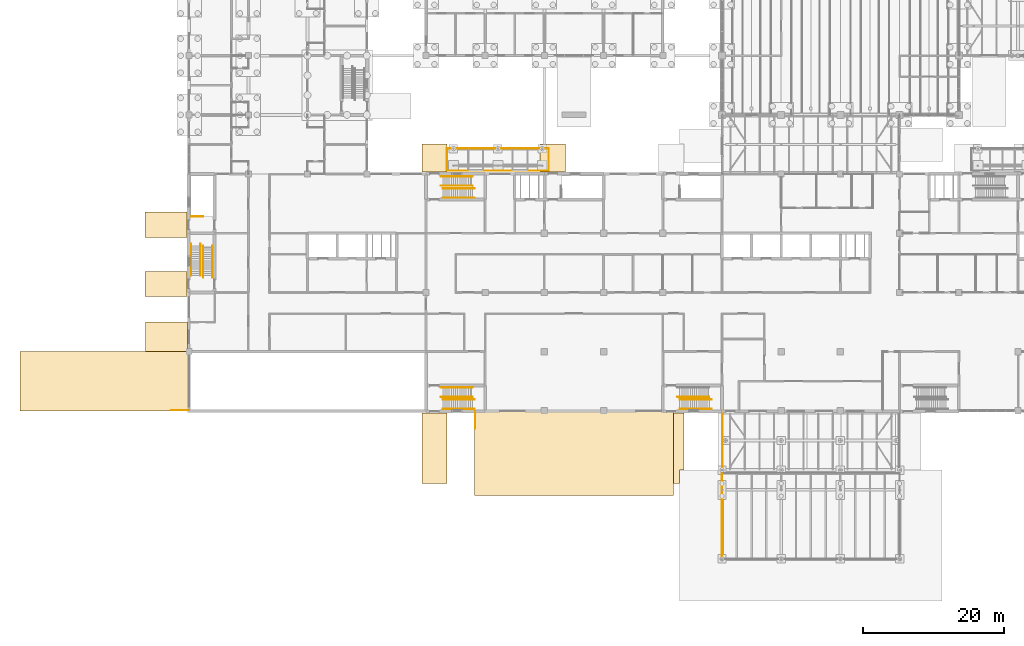
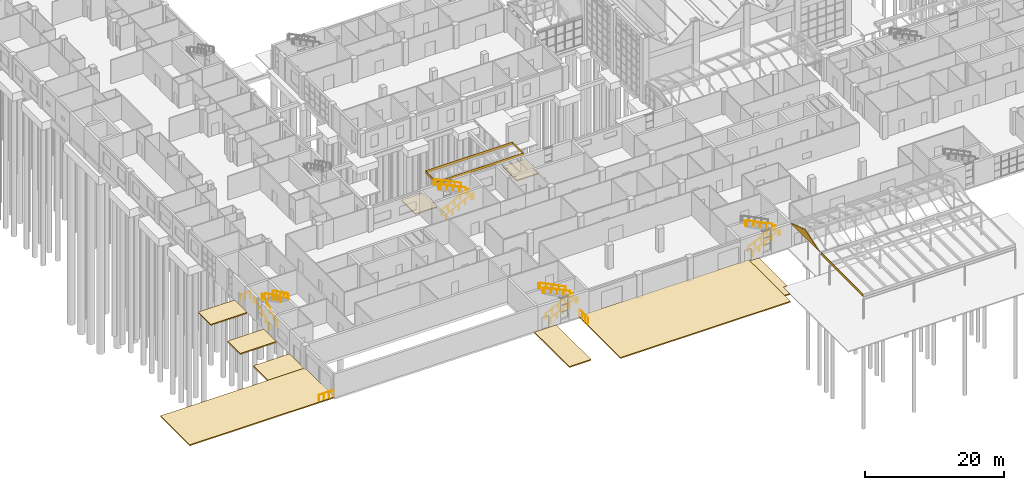
# One storey, part 131 of 138: 18 railings, 15 coverings.
"""IFC4 building model written with IfcOpenShell, lengths in metres."""

from ifc_helpers import new_model, si_unit, direction, frame, origin, origin_2d, place, context, subcontext, project, spatial, polyline, circle, outline, extrude, material, layer, layer_set, type_object, element, save


model = new_model("IFC4")

# Units and contexts
model_context = context("Model", 3, precision=1e-05, world=origin(), true_north=direction((0.0, 1.0)))
body_context = subcontext(model_context, "Body", "Model", "MODEL_VIEW")
ifc_project = project(units=[si_unit("LENGTHUNIT", "METRE"), si_unit("AREAUNIT", "SQUARE_METRE"), si_unit("VOLUMEUNIT", "CUBIC_METRE"), si_unit("PLANEANGLEUNIT", "RADIAN"), si_unit("MASSUNIT", "GRAM", prefix="KILO")], contexts=[model_context])

# Site, building, storey
site_placement = place(None, origin())
site = spatial("IfcSite", under=ifc_project, at=site_placement, CompositionType="ELEMENT")
building_placement = place(site_placement, origin())
building = spatial("IfcBuilding", under=site, at=building_placement, Name="Yavir Park General Hospital", CompositionType="ELEMENT")
storey_placement = place(building_placement, origin())
storey = spatial("IfcBuildingStorey", under=building, at=storey_placement, Name="L00", CompositionType="ELEMENT", Elevation=0.0)

# Railings
ifc_material_1 = material(Name="Steel S355", Category="steel")
railing_type_1 = type_object("IfcRailingType", Name="Apron edge guard 1200", PredefinedType="GUARDRAIL", material=ifc_material_1)
railing_1_placement = place(storey_placement, frame((-0.074951171875, 0.10009765625, 0.0)))
element("IfcRailing", 1, at=railing_1_placement, inside=storey, type_object=railing_type_1, Name="Apron edge guard R0.1", PredefinedType="GUARDRAIL", context=body_context, shape_type="SweptSolid", body=[
    extrude(circle(Radius=0.02490234375, at=origin_2d()), frame((0.0, 0.0, 1.1748046875), z_axis=(-1.0, 0.0, 0.0), x_axis=(0.0, -1.0, 0.0)), (0.0, 0.0, 1.0), 2.425048828125),
    extrude(circle(Radius=0.02490234375, at=origin_2d()), origin(), (0.0, 0.0, 1.0), 1.14990234375),
    extrude(circle(Radius=0.02490234375, at=origin_2d()), frame((-0.808349609375, 0.0, 0.0)), (0.0, 0.0, 1.0), 1.14990234375),
    extrude(circle(Radius=0.02490234375, at=origin_2d()), frame((-1.61669921875, 0.0, 0.0)), (0.0, 0.0, 1.0), 1.14990234375),
    extrude(circle(Radius=0.02490234375, at=origin_2d()), frame((-2.425048828125, 0.0, 0.0)), (0.0, 0.0, 1.0), 1.14990234375),
])
railing_2_placement = place(storey_placement, frame((40.60009765625, -2.5, 0.0)))
element("IfcRailing", 2, at=railing_2_placement, inside=storey, type_object=railing_type_1, Name="Apron edge guard D0.1", PredefinedType="GUARDRAIL", context=body_context, shape_type="SweptSolid", body=[
    extrude(circle(Radius=0.02490234375, at=origin_2d()), frame((0.0, 0.0, 1.1748046875), z_axis=(0.0, 1.0, 0.0), x_axis=(-1.0, 0.0, 0.0)), (0.0, 0.0, 1.0), 2.425048828125),
    extrude(circle(Radius=0.02490234375, at=origin_2d()), origin(), (0.0, 0.0, 1.0), 1.14990234375),
    extrude(circle(Radius=0.02490234375, at=origin_2d()), frame((0.0, 0.808349609375, 0.0)), (0.0, 0.0, 1.0), 1.14990234375),
    extrude(circle(Radius=0.02490234375, at=origin_2d()), frame((0.0, 1.61669921875, 0.0)), (0.0, 0.0, 1.0), 1.14990234375),
    extrude(circle(Radius=0.02490234375, at=origin_2d()), frame((0.0, 2.425048828125, 0.0)), (0.0, 0.0, 1.0), 1.14990234375),
])

# Coverings
ifc_material_2 = material(Name="Aluminium composite cladding", Category="aluminium")
ifc_layer_1 = layer(ifc_material_2, 0.0400390625)
ifc_layer_set_1 = layer_set([ifc_layer_1], Name="Aluminium composite cladding")
covering_type_1 = type_object("IfcCoveringType", Name="Canopy fascia 40", PredefinedType="CLADDING", material=ifc_layer_set_1)
covering_1_placement = place(storey_placement, frame((0.0, 0.0, 3.85009765625)))
element("IfcCovering", 3, at=covering_1_placement, inside=storey, type_object=covering_type_1, Name="Canopy fascia ARC1 S", PredefinedType="CLADDING", context=body_context, shape_type="SweptSolid", body=[
    extrude(outline(polyline([(36.56005859375, 34.06005859375), (51.0400390625, 34.06005859375), (51.0400390625, 34.10009765625), (36.56005859375, 34.10009765625), (36.56005859375, 34.06005859375)])), origin(), (0.0, 0.0, 1.0), 0.449951171875),
])
covering_2_placement = place(storey_placement, frame((0.0, 0.0, 3.85009765625)))
element("IfcCovering", 4, at=covering_2_placement, inside=storey, type_object=covering_type_1, Name="Canopy fascia ARC1 N", PredefinedType="CLADDING", context=body_context, shape_type="SweptSolid", body=[
    extrude(outline(polyline([(36.56005859375, 37.199951171875), (51.0400390625, 37.199951171875), (51.0400390625, 37.239990234375), (36.56005859375, 37.239990234375), (36.56005859375, 37.199951171875)])), origin(), (0.0, 0.0, 1.0), 0.449951171875),
])
covering_3_placement = place(storey_placement, frame((0.0, 0.0, 3.85009765625)))
element("IfcCovering", 5, at=covering_3_placement, inside=storey, type_object=covering_type_1, Name="Canopy fascia ARC1 W", PredefinedType="CLADDING", context=body_context, shape_type="SweptSolid", body=[
    extrude(outline(polyline([(36.56005859375, 34.10009765625), (36.60009765625, 34.10009765625), (36.60009765625, 37.199951171875), (36.56005859375, 37.199951171875), (36.56005859375, 34.10009765625)])), origin(), (0.0, 0.0, 1.0), 0.449951171875),
])
covering_4_placement = place(storey_placement, frame((0.0, 0.0, 3.85009765625)))
element("IfcCovering", 6, at=covering_4_placement, inside=storey, type_object=covering_type_1, Name="Canopy fascia ARC1 E", PredefinedType="CLADDING", context=body_context, shape_type="SweptSolid", body=[
    extrude(outline(polyline([(51.0, 34.10009765625), (51.0400390625, 34.10009765625), (51.0400390625, 37.199951171875), (51.0, 37.199951171875), (51.0, 34.10009765625)])), origin(), (0.0, 0.0, 1.0), 0.449951171875),
])
covering_5_placement = place(storey_placement, frame((0.0, 0.0, 3.85009765625)))
element("IfcCovering", 7, at=covering_5_placement, inside=storey, type_object=covering_type_1, Name="Canopy fascia DROP W", PredefinedType="CLADDING", context=body_context, shape_type="SweptSolid", body=[
    extrude(outline(polyline([(75.56005859375, -21.0), (75.60009765625, -21.0), (75.60009765625, -8.89990234375), (75.56005859375, -8.89990234375), (75.56005859375, -21.0)])), origin(), (0.0, 0.0, 1.0), 0.449951171875),
])
ifc_material_3 = material(Name="Precast paving flags on a compacted sub-base", Category="concrete")
ifc_layer_2 = layer(ifc_material_3, 0.199951171875)
ifc_layer_set_2 = layer_set([ifc_layer_2], Name="Precast paving flags on a compacted sub-base")
covering_type_2 = type_object("IfcCoveringType", Name="External paving 200", PredefinedType="FLOORING", material=ifc_layer_set_2)
covering_6_placement = place(storey_placement, frame((0.0, 0.0, -0.199951171875)))
element("IfcCovering", 8, at=covering_6_placement, inside=storey, type_object=covering_type_2, Name="Apron R and driveway west of the vehicle ramp", PredefinedType="FLOORING", context=body_context, shape_type="SweptSolid", body=[
    extrude(outline(polyline([(0.0, 0.0), (-24.0, 0.0), (-24.0, 8.39990234375), (0.0, 8.39990234375), (0.0, 0.0)])), origin(), (0.0, 0.0, 1.0), 0.199951171875),
])
covering_7_placement = place(storey_placement, frame((0.0, 0.0, -0.199951171875)))
element("IfcCovering", 9, at=covering_7_placement, inside=storey, type_object=covering_type_2, Name="Apron D south of the loading dock", PredefinedType="FLOORING", context=body_context, shape_type="SweptSolid", body=[
    extrude(outline(polyline([(40.5, -12.0), (40.5, 0.0), (68.699951171875, 0.0), (68.699951171875, -12.0), (40.5, -12.0)])), origin(), (0.0, 0.0, 1.0), 0.199951171875),
])
covering_8_placement = place(storey_placement, frame((0.0, 0.0, -0.199951171875)))
element("IfcCovering", 10, at=covering_8_placement, inside=storey, type_object=covering_type_2, Name="Entrance paving north 1", PredefinedType="FLOORING", context=body_context, shape_type="SweptSolid", body=[
    extrude(outline(polyline([(36.60009765625, 37.89990234375), (36.60009765625, 33.89990234375), (33.60009765625, 33.89990234375), (33.0, 33.89990234375), (33.0, 37.89990234375), (36.60009765625, 37.89990234375)])), origin(), (0.0, 0.0, 1.0), 0.199951171875),
])
covering_9_placement = place(storey_placement, frame((0.0, 0.0, -0.199951171875)))
element("IfcCovering", 11, at=covering_9_placement, inside=storey, type_object=covering_type_2, Name="Entrance paving north 2", PredefinedType="FLOORING", context=body_context, shape_type="SweptSolid", body=[
    extrude(outline(polyline([(50.39990234375, 33.89990234375), (49.800048828125, 33.89990234375), (49.800048828125, 37.89990234375), (53.39990234375, 37.89990234375), (53.39990234375, 33.89990234375), (50.39990234375, 33.89990234375)]), holes=[polyline([(50.17431640625, 34.839599609375), (50.169921875, 34.8466796875), (50.1650390625, 34.853515625), (50.159423828125, 34.859619140625), (50.1533203125, 34.864990234375), (50.146728515625, 34.8701171875), (50.1396484375, 34.874267578125), (50.132080078125, 34.877685546875), (50.12451171875, 34.880615234375), (50.116455078125, 34.882568359375), (50.108154296875, 34.8837890625), (50.10009765625, 34.884033203125), (50.091796875, 34.8837890625), (50.08349609375, 34.882568359375), (50.07568359375, 34.880615234375), (50.06787109375, 34.877685546875), (50.060302734375, 34.874267578125), (50.05322265625, 34.8701171875), (50.046630859375, 34.864990234375), (50.04052734375, 34.859619140625), (50.034912109375, 34.853515625), (50.030029296875, 34.8466796875), (50.02587890625, 34.839599609375), (50.022216796875, 34.832275390625), (50.01953125, 34.824462890625), (50.017578125, 34.81640625), (50.016357421875, 34.80810546875), (50.015869140625, 34.800048828125), (50.016357421875, 34.791748046875), (50.017578125, 34.78369140625), (50.01953125, 34.775634765625), (50.022216796875, 34.767822265625), (50.02587890625, 34.76025390625), (50.030029296875, 34.753173828125), (50.034912109375, 34.74658203125), (50.04052734375, 34.740478515625), (50.046630859375, 34.735107421875), (50.05322265625, 34.72998046875), (50.060302734375, 34.725830078125), (50.06787109375, 34.722412109375), (50.07568359375, 34.719482421875), (50.08349609375, 34.717529296875), (50.091796875, 34.71630859375), (50.10009765625, 34.7158203125), (50.108154296875, 34.71630859375), (50.116455078125, 34.717529296875), (50.12451171875, 34.719482421875), (50.132080078125, 34.722412109375), (50.1396484375, 34.725830078125), (50.146728515625, 34.72998046875), (50.1533203125, 34.735107421875), (50.159423828125, 34.740478515625), (50.1650390625, 34.74658203125), (50.169921875, 34.753173828125), (50.17431640625, 34.76025390625), (50.177734375, 34.767822265625), (50.180419921875, 34.775634765625), (50.1826171875, 34.78369140625), (50.18359375, 34.791748046875), (50.18408203125, 34.800048828125), (50.18359375, 34.80810546875), (50.1826171875, 34.81640625), (50.180419921875, 34.824462890625), (50.177734375, 34.832275390625), (50.17431640625, 34.839599609375)]), polyline([(50.16162109375, 37.23291015625), (50.158203125, 37.23876953125), (50.154052734375, 37.244384765625), (50.1494140625, 37.24951171875), (50.144287109375, 37.25390625), (50.138916015625, 37.258056640625), (50.1328125, 37.26171875), (50.126708984375, 37.264404296875), (50.120361328125, 37.266845703125), (50.113525390625, 37.2685546875), (50.106689453125, 37.26953125), (50.10009765625, 37.27001953125), (50.09326171875, 37.26953125), (50.08642578125, 37.2685546875), (50.07958984375, 37.266845703125), (50.0732421875, 37.264404296875), (50.067138671875, 37.26171875), (50.061279296875, 37.258056640625), (50.0556640625, 37.25390625), (50.050537109375, 37.24951171875), (50.0458984375, 37.244384765625), (50.0419921875, 37.23876953125), (50.038330078125, 37.23291015625), (50.035400390625, 37.226806640625), (50.033203125, 37.22021484375), (50.031494140625, 37.213623046875), (50.030517578125, 37.206787109375), (50.030029296875, 37.199951171875), (50.030517578125, 37.193115234375), (50.031494140625, 37.186279296875), (50.033203125, 37.1796875), (50.035400390625, 37.17333984375), (50.038330078125, 37.1669921875), (50.0419921875, 37.1611328125), (50.0458984375, 37.15576171875), (50.050537109375, 37.150634765625), (50.0556640625, 37.14599609375), (50.061279296875, 37.141845703125), (50.067138671875, 37.138427734375), (50.0732421875, 37.135498046875), (50.07958984375, 37.13330078125), (50.08642578125, 37.131591796875), (50.09326171875, 37.130615234375), (50.10009765625, 37.130126953125), (50.106689453125, 37.130615234375), (50.113525390625, 37.131591796875), (50.120361328125, 37.13330078125), (50.126708984375, 37.135498046875), (50.1328125, 37.138427734375), (50.138916015625, 37.141845703125), (50.144287109375, 37.14599609375), (50.1494140625, 37.150634765625), (50.154052734375, 37.15576171875), (50.158203125, 37.1611328125), (50.16162109375, 37.1669921875), (50.16455078125, 37.17333984375), (50.166748046875, 37.1796875), (50.16845703125, 37.186279296875), (50.16943359375, 37.193115234375), (50.169921875, 37.199951171875), (50.16943359375, 37.206787109375), (50.16845703125, 37.213623046875), (50.166748046875, 37.22021484375), (50.16455078125, 37.226806640625), (50.16162109375, 37.23291015625)])]), origin(), (0.0, 0.0, 1.0), 0.199951171875),
])
covering_10_placement = place(storey_placement, frame((0.0, 0.0, -0.199951171875)))
element("IfcCovering", 12, at=covering_10_placement, inside=storey, type_object=covering_type_2, Name="Entrance paving south 1", PredefinedType="FLOORING", context=body_context, shape_type="SweptSolid", body=[
    extrude(outline(polyline([(33.0, -10.300048828125), (33.0, -0.300048828125), (33.60009765625, -0.300048828125), (36.60009765625, -0.300048828125), (36.60009765625, -10.300048828125), (33.0, -10.300048828125)])), origin(), (0.0, 0.0, 1.0), 0.199951171875),
])
covering_11_placement = place(storey_placement, frame((0.0, 0.0, -0.199951171875)))
element("IfcCovering", 13, at=covering_11_placement, inside=storey, type_object=covering_type_2, Name="Entrance paving south 2", PredefinedType="FLOORING", context=body_context, shape_type="SweptSolid", body=[
    extrude(outline(polyline([(69.60009765625, -8.39990234375), (69.60009765625, -10.300048828125), (68.699951171875, -10.300048828125), (68.699951171875, -0.300048828125), (70.199951171875, -0.300048828125), (70.199951171875, -8.39990234375), (69.60009765625, -8.39990234375)])), origin(), (0.0, 0.0, 1.0), 0.199951171875),
])
covering_12_placement = place(storey_placement, frame((0.0, 0.0, -0.199951171875)))
element("IfcCovering", 14, at=covering_12_placement, inside=storey, type_object=covering_type_2, Name="Entrance paving west 1", PredefinedType="FLOORING", context=body_context, shape_type="SweptSolid", body=[
    extrude(outline(polyline([(-0.300048828125, 16.800048828125), (-0.300048828125, 16.199951171875), (-6.300048828125, 16.199951171875), (-6.300048828125, 19.800048828125), (-0.300048828125, 19.800048828125), (-0.300048828125, 16.800048828125)])), origin(), (0.0, 0.0, 1.0), 0.199951171875),
])
covering_13_placement = place(storey_placement, frame((0.0, 0.0, -0.199951171875)))
element("IfcCovering", 15, at=covering_13_placement, inside=storey, type_object=covering_type_2, Name="Entrance paving west 2", PredefinedType="FLOORING", context=body_context, shape_type="SweptSolid", body=[
    extrude(outline(polyline([(-0.300048828125, 24.60009765625), (-6.300048828125, 24.60009765625), (-6.300048828125, 28.199951171875), (-0.300048828125, 28.199951171875), (-0.300048828125, 25.199951171875), (-0.300048828125, 24.60009765625)])), origin(), (0.0, 0.0, 1.0), 0.199951171875),
])
covering_14_placement = place(storey_placement, frame((0.0, 0.0, -0.199951171875)))
element("IfcCovering", 16, at=covering_14_placement, inside=storey, type_object=covering_type_2, Name="Entrance paving west 1", PredefinedType="FLOORING", context=body_context, shape_type="SweptSolid", body=[
    extrude(outline(polyline([(-0.199951171875, 8.39990234375), (-6.199951171875, 8.39990234375), (-6.199951171875, 12.60009765625), (-0.199951171875, 12.60009765625), (-0.199951171875, 8.39990234375)])), origin(), (0.0, 0.0, 1.0), 0.199951171875),
])
ifc_material_4 = material(Name="Toughened safety glass", Category="glass")
ifc_layer_3 = layer(ifc_material_4, 0.1201171875)
ifc_layer_set_3 = layer_set([ifc_layer_3], Name="Toughened safety glass")
covering_type_3 = type_object("IfcCoveringType", Name="Gable end glass panel 120", PredefinedType="CLADDING", material=ifc_layer_set_3)
covering_15_placement = place(storey_placement, frame((75.60009765625, -8.39990234375, 4.0419921875), z_axis=(-1.0, 0.0, 0.0), x_axis=(0.0, 1.0, 0.0)))
element("IfcCovering", 17, at=covering_15_placement, inside=storey, type_object=covering_type_3, Name="Gable end panel PORCH-W-G01", PredefinedType="CLADDING", context=body_context, shape_type="SweptSolid", body=[
    extrude(outline(polyline([(0.0, 0.0), (8.39990234375, 0.0), (4.199951171875, -1.39990234375), (0.0, 0.0)])), origin(), (0.0, 0.0, -1.0), 0.1201171875),
])

# Railings
ifc_material_5 = material(Name="Steel balustrade with infill rods", Category="steel")
railing_type_2 = type_object("IfcRailingType", Name="Stair guard, steel balustrade 1100 mm", PredefinedType="GUARDRAIL", material=ifc_material_5)
railing_3_placement = place(storey_placement, frame((0.280029296875, 27.570068359375, 0.0)))
element("IfcRailing", 18, at=railing_3_placement, inside=storey, type_object=railing_type_2, Name="Stair well guard BS1 L00", PredefinedType="GUARDRAIL", context=body_context, shape_type="SweptSolid", body=[
    extrude(circle(Radius=0.02392578125, at=origin_2d()), frame((0.0, 0.0, 1.076171875), z_axis=(1.0, 0.0, 0.0), x_axis=(0.0, 1.0, 0.0)), (0.0, 0.0, 1.0), 1.669921875),
    extrude(circle(Radius=0.02099609375, at=origin_2d()), origin(), (0.0, 0.0, 1.0), 1.052001953125),
    extrude(circle(Radius=0.02099609375, at=origin_2d()), frame((0.8349609375, 0.0, 0.0)), (0.0, 0.0, 1.0), 1.052001953125),
    extrude(circle(Radius=0.02099609375, at=origin_2d()), frame((1.669921875, 0.0, 0.0)), (0.0, 0.0, 1.0), 1.052001953125),
])
ifc_material_6 = material(Name="Stainless steel tube 48 mm", Category="steel")
railing_type_3 = type_object("IfcRailingType", Name="Stair handrail, steel tube, 900 mm above the nosings", PredefinedType="HANDRAIL", material=ifc_material_6)
for number, where, name in (
    (19, (0.2900390625, 19.199951171875, 0.14990234375), "Handrail SU1 L00 1"),
    (20, (1.610107421875, 19.199951171875, 0.14990234375), "Handrail SU1 L00 2"),
):
    element("IfcRailing", number, at=place(storey_placement, frame(where)), inside=storey, type_object=railing_type_3, Name=name, PredefinedType="HANDRAIL", context=body_context, shape_type="SweptSolid", body=[
        extrude(circle(Radius=0.02392578125, at=origin_2d()), frame((0.0, 0.0, 0.8759765625), z_axis=(0.0, 0.894416792377, 0.447234392142), x_axis=(-1.0, 0.0, 0.0)), (0.0, 0.0, 1.0), 4.69580078125),
        extrude(circle(Radius=0.02392578125, at=origin_2d()), frame((0.0, 4.199951171875, 2.97607421875), z_axis=(0.0, 1.0, 0.0), x_axis=(-1.0, 0.0, 0.0)), (0.0, 0.0, 1.0), 0.300048828125),
        extrude(circle(Radius=0.02099609375, at=origin_2d()), origin(), (0.0, 0.0, 1.0), 0.851806640625),
        extrude(circle(Radius=0.02099609375, at=origin_2d()), frame((0.0, 1.050048828125, 0.52490234375)), (0.0, 0.0, 1.0), 0.851806640625),
        extrude(circle(Radius=0.02099609375, at=origin_2d()), frame((0.0, 2.10009765625, 1.050048828125)), (0.0, 0.0, 1.0), 0.851806640625),
        extrude(circle(Radius=0.02099609375, at=origin_2d()), frame((0.0, 3.14990234375, 1.5751953125)), (0.0, 0.0, 1.0), 0.851806640625),
        extrude(circle(Radius=0.02099609375, at=origin_2d()), frame((0.0, 4.199951171875, 2.10009765625)), (0.0, 0.0, 1.0), 0.851806640625),
        extrude(circle(Radius=0.02099609375, at=origin_2d()), frame((0.0, 4.5, 2.10009765625)), (0.0, 0.0, 1.0), 0.851806640625),
    ])
for number, where, name in (
    (21, (3.31005859375, 23.39990234375, 2.39990234375), "Handrail SU1 L00 3"),
    (22, (1.989990234375, 23.39990234375, 2.39990234375), "Handrail SU1 L00 4"),
):
    element("IfcRailing", number, at=place(storey_placement, frame(where)), inside=storey, type_object=railing_type_3, Name=name, PredefinedType="HANDRAIL", context=body_context, shape_type="SweptSolid", body=[
        extrude(circle(Radius=0.02392578125, at=origin_2d()), frame((0.0, 0.0, 0.8759765625), z_axis=(0.0, -0.894416792377, 0.447234392142), x_axis=(1.0, 0.0, 0.0)), (0.0, 0.0, 1.0), 4.69580078125),
        extrude(circle(Radius=0.02392578125, at=origin_2d()), frame((0.0, -4.199951171875, 2.97607421875), z_axis=(0.0, -1.0, 0.0), x_axis=(1.0, 0.0, 0.0)), (0.0, 0.0, 1.0), 0.300048828125),
        extrude(circle(Radius=0.02099609375, at=origin_2d()), origin(), (0.0, 0.0, 1.0), 0.851806640625),
        extrude(circle(Radius=0.02099609375, at=origin_2d()), frame((0.0, -1.050048828125, 0.52490234375)), (0.0, 0.0, 1.0), 0.851806640625),
        extrude(circle(Radius=0.02099609375, at=origin_2d()), frame((0.0, -2.10009765625, 1.050048828125)), (0.0, 0.0, 1.0), 0.851806640625),
        extrude(circle(Radius=0.02099609375, at=origin_2d()), frame((0.0, -3.14990234375, 1.5751953125)), (0.0, 0.0, 1.0), 0.851806640625),
        extrude(circle(Radius=0.02099609375, at=origin_2d()), frame((0.0, -4.199951171875, 2.10009765625)), (0.0, 0.0, 1.0), 0.851806640625),
        extrude(circle(Radius=0.02099609375, at=origin_2d()), frame((0.0, -4.5, 2.10009765625)), (0.0, 0.0, 1.0), 0.851806640625),
    ])
for number, where, name in (
    (23, (36.0, 0.2900390625, 0.14990234375), "Handrail SU2 L00 1"),
    (24, (36.0, 1.610107421875, 0.14990234375), "Handrail SU2 L00 2"),
):
    element("IfcRailing", number, at=place(storey_placement, frame(where)), inside=storey, type_object=railing_type_3, Name=name, PredefinedType="HANDRAIL", context=body_context, shape_type="SweptSolid", body=[
        extrude(circle(Radius=0.02392578125, at=origin_2d()), frame((0.0, 0.0, 0.8759765625), z_axis=(0.894416792377, 0.0, 0.447234392142), x_axis=(0.0, 1.0, 0.0)), (0.0, 0.0, 1.0), 4.69580078125),
        extrude(circle(Radius=0.02392578125, at=origin_2d()), frame((4.199951171875, 0.0, 2.97607421875), z_axis=(1.0, 0.0, 0.0), x_axis=(0.0, 1.0, 0.0)), (0.0, 0.0, 1.0), 0.300048828125),
        extrude(circle(Radius=0.02099609375, at=origin_2d()), origin(), (0.0, 0.0, 1.0), 0.851806640625),
        extrude(circle(Radius=0.02099609375, at=origin_2d()), frame((1.050048828125, 0.0, 0.52490234375)), (0.0, 0.0, 1.0), 0.851806640625),
        extrude(circle(Radius=0.02099609375, at=origin_2d()), frame((2.10009765625, 0.0, 1.050048828125)), (0.0, 0.0, 1.0), 0.851806640625),
        extrude(circle(Radius=0.02099609375, at=origin_2d()), frame((3.14990234375, 0.0, 1.5751953125)), (0.0, 0.0, 1.0), 0.851806640625),
        extrude(circle(Radius=0.02099609375, at=origin_2d()), frame((4.199951171875, 0.0, 2.10009765625)), (0.0, 0.0, 1.0), 0.851806640625),
        extrude(circle(Radius=0.02099609375, at=origin_2d()), frame((4.5, 0.0, 2.10009765625)), (0.0, 0.0, 1.0), 0.851806640625),
    ])
for number, where, name in (
    (25, (40.199951171875, 3.31005859375, 2.39990234375), "Handrail SU2 L00 3"),
    (26, (40.199951171875, 1.989990234375, 2.39990234375), "Handrail SU2 L00 4"),
):
    element("IfcRailing", number, at=place(storey_placement, frame(where)), inside=storey, type_object=railing_type_3, Name=name, PredefinedType="HANDRAIL", context=body_context, shape_type="SweptSolid", body=[
        extrude(circle(Radius=0.02392578125, at=origin_2d()), frame((0.0, 0.0, 0.8759765625), z_axis=(-0.894416792377, 0.0, 0.447234392142), x_axis=(0.0, -1.0, 0.0)), (0.0, 0.0, 1.0), 4.69580078125),
        extrude(circle(Radius=0.02392578125, at=origin_2d()), frame((-4.199951171875, 0.0, 2.97607421875), z_axis=(-1.0, 0.0, 0.0), x_axis=(0.0, -1.0, 0.0)), (0.0, 0.0, 1.0), 0.300048828125),
        extrude(circle(Radius=0.02099609375, at=origin_2d()), origin(), (0.0, 0.0, 1.0), 0.851806640625),
        extrude(circle(Radius=0.02099609375, at=origin_2d()), frame((-1.050048828125, 0.0, 0.52490234375)), (0.0, 0.0, 1.0), 0.851806640625),
        extrude(circle(Radius=0.02099609375, at=origin_2d()), frame((-2.10009765625, 0.0, 1.050048828125)), (0.0, 0.0, 1.0), 0.851806640625),
        extrude(circle(Radius=0.02099609375, at=origin_2d()), frame((-3.14990234375, 0.0, 1.5751953125)), (0.0, 0.0, 1.0), 0.851806640625),
        extrude(circle(Radius=0.02099609375, at=origin_2d()), frame((-4.199951171875, 0.0, 2.10009765625)), (0.0, 0.0, 1.0), 0.851806640625),
        extrude(circle(Radius=0.02099609375, at=origin_2d()), frame((-4.5, 0.0, 2.10009765625)), (0.0, 0.0, 1.0), 0.851806640625),
    ])
for number, where, name in (
    (27, (69.60009765625, 0.2900390625, 0.14990234375), "Handrail SU3 L00 1"),
    (28, (69.60009765625, 1.610107421875, 0.14990234375), "Handrail SU3 L00 2"),
):
    element("IfcRailing", number, at=place(storey_placement, frame(where)), inside=storey, type_object=railing_type_3, Name=name, PredefinedType="HANDRAIL", context=body_context, shape_type="SweptSolid", body=[
        extrude(circle(Radius=0.02392578125, at=origin_2d()), frame((0.0, 0.0, 0.8759765625), z_axis=(0.894416792377, 0.0, 0.447234392142), x_axis=(0.0, 1.0, 0.0)), (0.0, 0.0, 1.0), 4.69580078125),
        extrude(circle(Radius=0.02392578125, at=origin_2d()), frame((4.199951171875, 0.0, 2.97607421875), z_axis=(1.0, 0.0, 0.0), x_axis=(0.0, 1.0, 0.0)), (0.0, 0.0, 1.0), 0.300048828125),
        extrude(circle(Radius=0.02099609375, at=origin_2d()), origin(), (0.0, 0.0, 1.0), 0.851806640625),
        extrude(circle(Radius=0.02099609375, at=origin_2d()), frame((1.050048828125, 0.0, 0.52490234375)), (0.0, 0.0, 1.0), 0.851806640625),
        extrude(circle(Radius=0.02099609375, at=origin_2d()), frame((2.10009765625, 0.0, 1.050048828125)), (0.0, 0.0, 1.0), 0.851806640625),
        extrude(circle(Radius=0.02099609375, at=origin_2d()), frame((3.14990234375, 0.0, 1.5751953125)), (0.0, 0.0, 1.0), 0.851806640625),
        extrude(circle(Radius=0.02099609375, at=origin_2d()), frame((4.199951171875, 0.0, 2.10009765625)), (0.0, 0.0, 1.0), 0.851806640625),
        extrude(circle(Radius=0.02099609375, at=origin_2d()), frame((4.5, 0.0, 2.10009765625)), (0.0, 0.0, 1.0), 0.851806640625),
    ])
railing_4_placement = place(storey_placement, frame((73.800048828125, 1.989990234375, 2.39990234375)))
element("IfcRailing", 29, at=railing_4_placement, inside=storey, type_object=railing_type_3, Name="Handrail SU3 L00 4", PredefinedType="HANDRAIL", context=body_context, shape_type="SweptSolid", body=[
    extrude(circle(Radius=0.02392578125, at=origin_2d()), frame((0.0, 0.0, 0.8759765625), z_axis=(-0.894416792377, 0.0, 0.447234392142), x_axis=(0.0, -1.0, 0.0)), (0.0, 0.0, 1.0), 4.69580078125),
    extrude(circle(Radius=0.02392578125, at=origin_2d()), frame((-4.199951171875, 0.0, 2.97607421875), z_axis=(-1.0, 0.0, 0.0), x_axis=(0.0, -1.0, 0.0)), (0.0, 0.0, 1.0), 0.300048828125),
    extrude(circle(Radius=0.02099609375, at=origin_2d()), origin(), (0.0, 0.0, 1.0), 0.851806640625),
    extrude(circle(Radius=0.02099609375, at=origin_2d()), frame((-1.050048828125, 0.0, 0.52490234375)), (0.0, 0.0, 1.0), 0.851806640625),
    extrude(circle(Radius=0.02099609375, at=origin_2d()), frame((-2.10009765625, 0.0, 1.050048828125)), (0.0, 0.0, 1.0), 0.851806640625),
    extrude(circle(Radius=0.02099609375, at=origin_2d()), frame((-3.14990234375, 0.0, 1.5751953125)), (0.0, 0.0, 1.0), 0.851806640625),
    extrude(circle(Radius=0.02099609375, at=origin_2d()), frame((-4.199951171875, 0.0, 2.10009765625)), (0.0, 0.0, 1.0), 0.851806640625),
    extrude(circle(Radius=0.02099609375, at=origin_2d()), frame((-4.5, 0.0, 2.10009765625)), (0.0, 0.0, 1.0), 0.851806640625),
])
for number, where, name in (
    (30, (36.0, 30.239990234375, 0.14990234375), "Handrail PN1 L00 1"),
    (31, (36.0, 31.56005859375, 0.14990234375), "Handrail PN1 L00 2"),
):
    element("IfcRailing", number, at=place(storey_placement, frame(where)), inside=storey, type_object=railing_type_3, Name=name, PredefinedType="HANDRAIL", context=body_context, shape_type="SweptSolid", body=[
        extrude(circle(Radius=0.02392578125, at=origin_2d()), frame((0.0, 0.0, 0.8759765625), z_axis=(0.894416792377, 0.0, 0.447234392142), x_axis=(0.0, 1.0, 0.0)), (0.0, 0.0, 1.0), 4.69580078125),
        extrude(circle(Radius=0.02392578125, at=origin_2d()), frame((4.199951171875, 0.0, 2.97607421875), z_axis=(1.0, 0.0, 0.0), x_axis=(0.0, 1.0, 0.0)), (0.0, 0.0, 1.0), 0.300048828125),
        extrude(circle(Radius=0.02099609375, at=origin_2d()), origin(), (0.0, 0.0, 1.0), 0.851806640625),
        extrude(circle(Radius=0.02099609375, at=origin_2d()), frame((1.050048828125, 0.0, 0.52490234375)), (0.0, 0.0, 1.0), 0.851806640625),
        extrude(circle(Radius=0.02099609375, at=origin_2d()), frame((2.10009765625, 0.0, 1.050048828125)), (0.0, 0.0, 1.0), 0.851806640625),
        extrude(circle(Radius=0.02099609375, at=origin_2d()), frame((3.14990234375, 0.0, 1.5751953125)), (0.0, 0.0, 1.0), 0.851806640625),
        extrude(circle(Radius=0.02099609375, at=origin_2d()), frame((4.199951171875, 0.0, 2.10009765625)), (0.0, 0.0, 1.0), 0.851806640625),
        extrude(circle(Radius=0.02099609375, at=origin_2d()), frame((4.5, 0.0, 2.10009765625)), (0.0, 0.0, 1.0), 0.851806640625),
    ])
for number, where, name in (
    (32, (40.199951171875, 33.260009765625, 2.39990234375), "Handrail PN1 L00 3"),
    (33, (40.199951171875, 31.93994140625, 2.39990234375), "Handrail PN1 L00 4"),
):
    element("IfcRailing", number, at=place(storey_placement, frame(where)), inside=storey, type_object=railing_type_3, Name=name, PredefinedType="HANDRAIL", context=body_context, shape_type="SweptSolid", body=[
        extrude(circle(Radius=0.02392578125, at=origin_2d()), frame((0.0, 0.0, 0.8759765625), z_axis=(-0.894416792377, 0.0, 0.447234392142), x_axis=(0.0, -1.0, 0.0)), (0.0, 0.0, 1.0), 4.69580078125),
        extrude(circle(Radius=0.02392578125, at=origin_2d()), frame((-4.199951171875, 0.0, 2.97607421875), z_axis=(-1.0, 0.0, 0.0), x_axis=(0.0, -1.0, 0.0)), (0.0, 0.0, 1.0), 0.300048828125),
        extrude(circle(Radius=0.02099609375, at=origin_2d()), origin(), (0.0, 0.0, 1.0), 0.851806640625),
        extrude(circle(Radius=0.02099609375, at=origin_2d()), frame((-1.050048828125, 0.0, 0.52490234375)), (0.0, 0.0, 1.0), 0.851806640625),
        extrude(circle(Radius=0.02099609375, at=origin_2d()), frame((-2.10009765625, 0.0, 1.050048828125)), (0.0, 0.0, 1.0), 0.851806640625),
        extrude(circle(Radius=0.02099609375, at=origin_2d()), frame((-3.14990234375, 0.0, 1.5751953125)), (0.0, 0.0, 1.0), 0.851806640625),
        extrude(circle(Radius=0.02099609375, at=origin_2d()), frame((-4.199951171875, 0.0, 2.10009765625)), (0.0, 0.0, 1.0), 0.851806640625),
        extrude(circle(Radius=0.02099609375, at=origin_2d()), frame((-4.5, 0.0, 2.10009765625)), (0.0, 0.0, 1.0), 0.851806640625),
    ])

save(model, "model.ifc")
